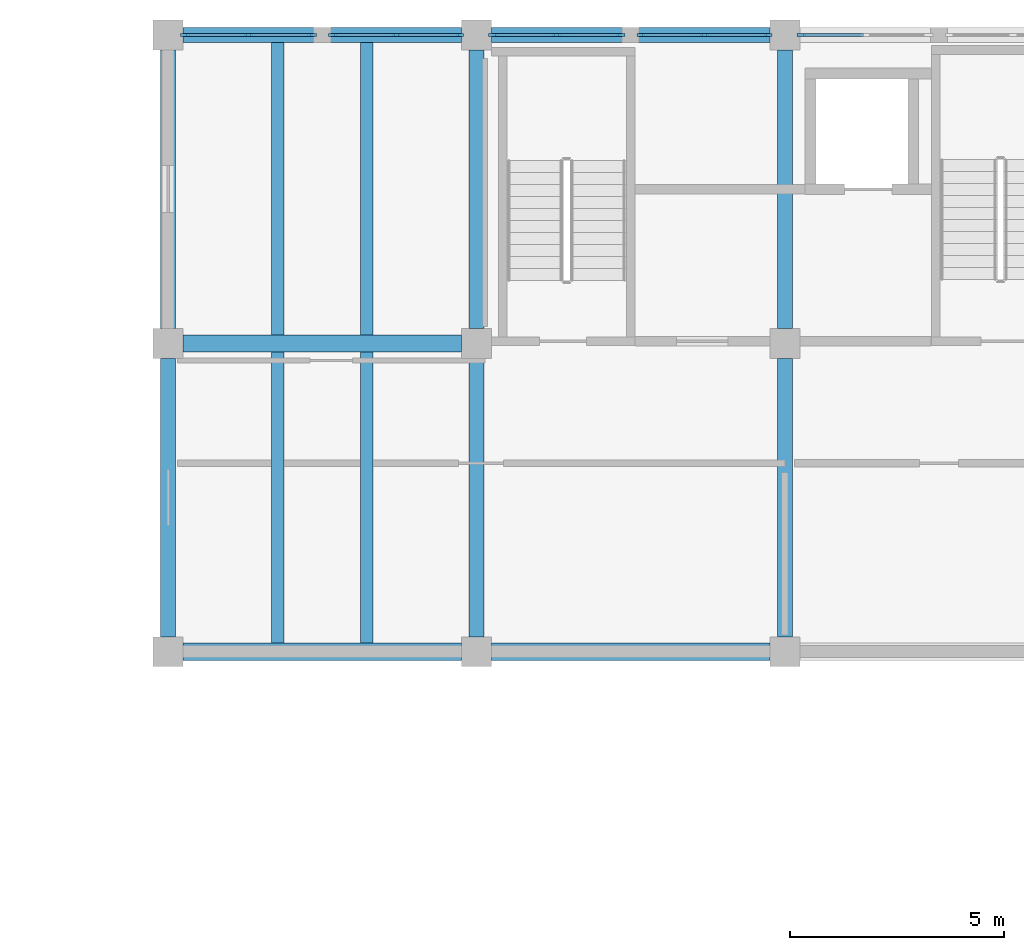
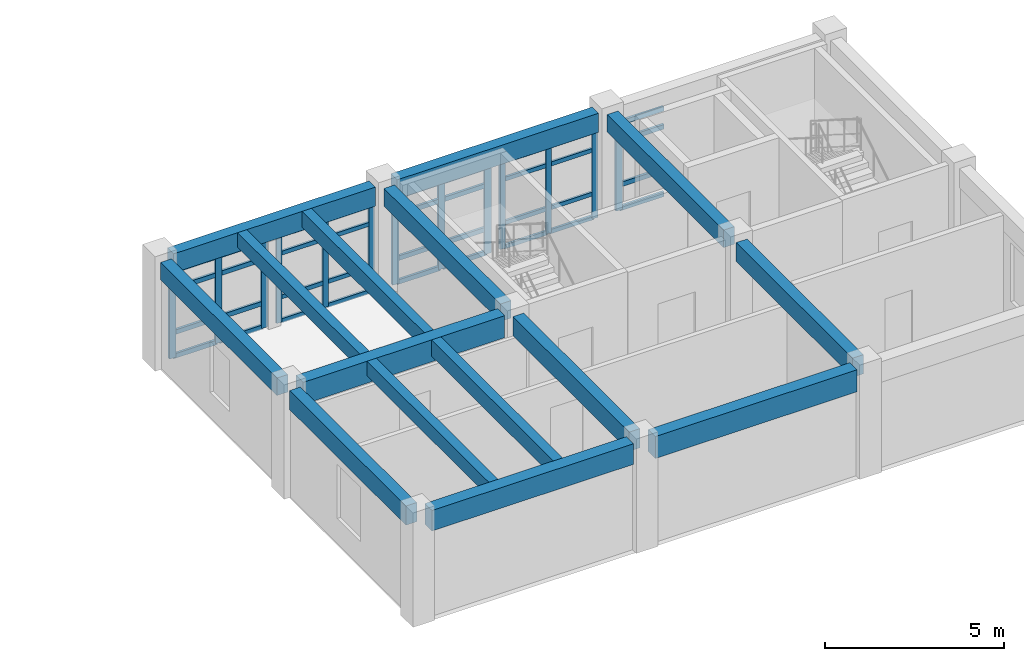
# One storey, part 8 of 54: 49 members, 15 beams, 5 elements without a shape of their own.
"""IFC4 building model written with IfcOpenShell, lengths in metres."""

from ifc_helpers import new_model, si_unit, direction, frame, origin, origin_2d, place, context, subcontext, project, spatial, rectangle, extrude, material, layer, layer_set, material_profile, profile_set, type_object, element, aggregate, save


model = new_model("IFC4")

# Units and contexts
model_context = context("Model", 3, precision=1e-05, world=origin(), true_north=direction((0.0, 1.0)))
body_context = subcontext(model_context, "Body", "Model", "MODEL_VIEW")
ifc_project = project(units=[si_unit("LENGTHUNIT", "METRE"), si_unit("AREAUNIT", "SQUARE_METRE"), si_unit("VOLUMEUNIT", "CUBIC_METRE"), si_unit("PLANEANGLEUNIT", "RADIAN"), si_unit("MASSUNIT", "GRAM", prefix="KILO")], contexts=[model_context])

# Site, building, storey
site_placement = place(None, origin())
site = spatial("IfcSite", under=ifc_project, at=site_placement, CompositionType="ELEMENT")
building_placement = place(site_placement, origin())
building = spatial("IfcBuilding", under=site, at=building_placement, Name="Koriwan Promenade Central Fire Station", CompositionType="ELEMENT")
storey_placement = place(building_placement, frame((0.0, 0.0, 9.60009765625)))
storey = spatial("IfcBuildingStorey", under=building, at=storey_placement, Name="L02", CompositionType="ELEMENT", Elevation=9.60009765625)

# Beams
ifc_material_1 = material(Name="Concrete C35/45", Category="concrete")
ifc_material_profile_1 = material_profile(ifc_material_1, rectangle(XDim=0.300048828125, YDim=0.5, at=origin_2d()), Name="RC-BM-300x500")
ifc_profile_set_1 = profile_set([ifc_material_profile_1], Name="Concrete C35/45")
beam_type_1 = type_object("IfcBeamType", Name="Beam_RC-BM-300x500", PredefinedType="JOIST", material=ifc_profile_set_1)
beam_1_placement = place(storey_placement, frame((81.760009765625, 101.0, 3.39990234375), z_axis=(0.0, 1.0, 0.0), x_axis=(-1.0, 0.0, 0.0)))
element("IfcBeam", 1, at=beam_1_placement, inside=storey, type_object=beam_type_1, Name="V2 L02 secondary joist 155", PredefinedType="JOIST", context=body_context, shape_type="SweptSolid", body=[
    extrude(rectangle(XDim=0.300048828125, YDim=0.5, at=origin_2d()), origin(), (0.0, 0.0, 1.0), 6.800048828125),
])
beam_2_placement = place(storey_placement, frame((81.760009765625, 108.199951171875, 3.39990234375), z_axis=(0.0, 1.0, 0.0), x_axis=(-1.0, 0.0, 0.0)))
element("IfcBeam", 2, at=beam_2_placement, inside=storey, type_object=beam_type_1, Name="V2 L02 secondary joist 157", PredefinedType="JOIST", context=body_context, shape_type="SweptSolid", body=[
    extrude(rectangle(XDim=0.300048828125, YDim=0.5, at=origin_2d()), origin(), (0.0, 0.0, 1.0), 6.824951171875),
])
ifc_material_profile_2 = material_profile(ifc_material_1, rectangle(XDim=0.300048828125, YDim=0.550048828125, at=origin_2d()), Name="RC-BM-300x550")
ifc_profile_set_2 = profile_set([ifc_material_profile_2], Name="Concrete C35/45")
beam_type_2 = type_object("IfcBeamType", Name="Beam_RC-BM-300x550", PredefinedType="JOIST", material=ifc_profile_set_2)
beam_3_placement = place(storey_placement, frame((83.840087890625, 101.0, 3.375), z_axis=(0.0, 1.0, 0.0), x_axis=(-1.0, 0.0, 0.0)))
element("IfcBeam", 3, at=beam_3_placement, inside=storey, type_object=beam_type_2, Name="V2 L02 secondary joist 156", PredefinedType="JOIST", context=body_context, shape_type="SweptSolid", body=[
    extrude(rectangle(XDim=0.300048828125, YDim=0.550048828125, at=origin_2d()), origin(), (0.0, 0.0, 1.0), 6.800048828125),
])
beam_4_placement = place(storey_placement, frame((83.840087890625, 108.199951171875, 3.375), z_axis=(0.0, 1.0, 0.0), x_axis=(-1.0, 0.0, 0.0)))
element("IfcBeam", 4, at=beam_4_placement, inside=storey, type_object=beam_type_2, Name="V2 L02 secondary joist 158", PredefinedType="JOIST", context=body_context, shape_type="SweptSolid", body=[
    extrude(rectangle(XDim=0.300048828125, YDim=0.550048828125, at=origin_2d()), origin(), (0.0, 0.0, 1.0), 6.824951171875),
])
ifc_material_profile_3 = material_profile(ifc_material_1, rectangle(XDim=0.35009765625, YDim=0.60009765625, at=origin_2d()), Name="RC-BM-350x600")
ifc_profile_set_3 = profile_set([ifc_material_profile_3], Name="Concrete C35/45")
beam_type_3 = type_object("IfcBeamType", Name="Beam_RC-BM-350x600", PredefinedType="BEAM", material=ifc_profile_set_3)
for number, where, z_axis, x_axis, name in (
    (5, (79.199951171875, 108.35009765625, 3.349853515625), (0.0, 1.0, 0.0), (-1.0, 0.0, 0.0), "V2 L02 girder Y-148"),
    (6, (86.39990234375, 108.35009765625, 3.349853515625), (0.0, 1.0, 0.0), (-1.0, 0.0, 0.0), "V2 L02 girder Y-150"),
    (7, (93.60009765625, 108.35009765625, 3.349853515625), (0.0, 1.0, 0.0), (-1.0, 0.0, 0.0), "V2 L02 girder Y-152"),
):
    element("IfcBeam", number, at=place(storey_placement, frame(where, z_axis=z_axis, x_axis=x_axis)), inside=storey, type_object=beam_type_3, Name=name, PredefinedType="BEAM", context=body_context, shape_type="SweptSolid", body=[
        extrude(rectangle(XDim=0.35009765625, YDim=0.60009765625, at=origin_2d()), origin(), (0.0, 0.0, 1.0), 6.5),
    ])
ifc_material_profile_4 = material_profile(ifc_material_1, rectangle(XDim=0.35009765625, YDim=0.64990234375, at=origin_2d()), Name="RC-BM-350x650")
ifc_profile_set_4 = profile_set([ifc_material_profile_4], Name="Concrete C35/45")
beam_type_4 = type_object("IfcBeamType", Name="Beam_RC-BM-350x650", PredefinedType="BEAM", material=ifc_profile_set_4)
for number, where, z_axis, x_axis, name in (
    (8, (79.199951171875, 101.14990234375, 3.324951171875), (0.0, 1.0, 0.0), (-1.0, 0.0, 0.0), "V2 L02 girder Y-147"),
    (9, (86.39990234375, 101.14990234375, 3.324951171875), (0.0, 1.0, 0.0), (-1.0, 0.0, 0.0), "V2 L02 girder Y-149"),
    (10, (93.60009765625, 101.14990234375, 3.324951171875), (0.0, 1.0, 0.0), (-1.0, 0.0, 0.0), "V2 L02 girder Y-151"),
):
    element("IfcBeam", number, at=place(storey_placement, frame(where, z_axis=z_axis, x_axis=x_axis)), inside=storey, type_object=beam_type_4, Name=name, PredefinedType="BEAM", context=body_context, shape_type="SweptSolid", body=[
        extrude(rectangle(XDim=0.35009765625, YDim=0.64990234375, at=origin_2d()), origin(), (0.0, 0.0, 1.0), 6.5),
    ])
ifc_material_profile_5 = material_profile(ifc_material_1, rectangle(XDim=0.39990234375, YDim=0.699951171875, at=origin_2d()), Name="RC-BM-400x700")
ifc_profile_set_5 = profile_set([ifc_material_profile_5], Name="Concrete C35/45")
beam_type_5 = type_object("IfcBeamType", Name="Beam_RC-BM-400x700", PredefinedType="BEAM", material=ifc_profile_set_5)
beam_5_placement = place(storey_placement, frame((79.550048828125, 100.800048828125, 3.2998046875), z_axis=(1.0, 0.0, 0.0), x_axis=(0.0, 1.0, 0.0)))
element("IfcBeam", 11, at=beam_5_placement, inside=storey, type_object=beam_type_5, Name="V2 L02 girder X-140", PredefinedType="BEAM", context=body_context, shape_type="SweptSolid", body=[
    extrude(rectangle(XDim=0.39990234375, YDim=0.699951171875, at=origin_2d()), origin(), (0.0, 0.0, 1.0), 6.5),
])
ifc_material_profile_6 = material_profile(ifc_material_1, rectangle(XDim=0.39990234375, YDim=0.75, at=origin_2d()), Name="RC-BM-400x750")
ifc_profile_set_6 = profile_set([ifc_material_profile_6], Name="Concrete C35/45")
beam_type_6 = type_object("IfcBeamType", Name="Beam_RC-BM-400x750", PredefinedType="BEAM", material=ifc_profile_set_6)
for number, where, z_axis, x_axis, name in (
    (12, (86.75, 100.800048828125, 3.27490234375), (1.0, 0.0, 0.0), (0.0, 1.0, 0.0), "V2 L02 girder X-141"),
    (13, (79.550048828125, 108.0, 3.27490234375), (1.0, 0.0, 0.0), (0.0, 1.0, 0.0), "V2 L02 girder X-143"),
):
    element("IfcBeam", number, at=place(storey_placement, frame(where, z_axis=z_axis, x_axis=x_axis)), inside=storey, type_object=beam_type_6, Name=name, PredefinedType="BEAM", context=body_context, shape_type="SweptSolid", body=[
        extrude(rectangle(XDim=0.39990234375, YDim=0.75, at=origin_2d()), origin(), (0.0, 0.0, 1.0), 6.5),
    ])
ifc_material_profile_7 = material_profile(ifc_material_1, rectangle(XDim=0.35009765625, YDim=0.64990234375, at=origin_2d()), Name="RC-SP-350x650")
ifc_profile_set_7 = profile_set([ifc_material_profile_7], Name="Concrete C35/45")
beam_type_7 = type_object("IfcBeamType", Name="Beam_RC-SP-350x650", PredefinedType="SPANDREL", material=ifc_profile_set_7)
for number, where, z_axis, x_axis, name in (
    (14, (79.550048828125, 115.199951171875, 3.324951171875), (1.0, 0.0, 0.0), (0.0, 1.0, 0.0), "V2 L02 girder X-144"),
    (15, (86.75, 115.199951171875, 3.324951171875), (1.0, 0.0, 0.0), (0.0, 1.0, 0.0), "V2 L02 girder X-145"),
):
    element("IfcBeam", number, at=place(storey_placement, frame(where, z_axis=z_axis, x_axis=x_axis)), inside=storey, type_object=beam_type_7, Name=name, PredefinedType="SPANDREL", context=body_context, shape_type="SweptSolid", body=[
        extrude(rectangle(XDim=0.35009765625, YDim=0.64990234375, at=origin_2d()), origin(), (0.0, 0.0, 1.0), 6.5),
    ])

# Curtain wall, members
ifc_material_2 = material(Name="Aluminium EN AW-6063-T6 and low-E glazing", Category="aluminium")
ifc_layer_1 = layer(ifc_material_2, 0.159912109375, Name="Aluminium EN AW-6063-T6 and low-E glazing")
ifc_layer_set_1 = layer_set([ifc_layer_1], Name="Aluminium EN AW-6063-T6 and low-E glazing")
curtain_wall_type_1 = type_object("IfcCurtainWallType", Name="CurtainWall_09_305x299", PredefinedType="USERDEFINED", material=ifc_layer_set_1)
curtain_wall_1_placement = place(storey_placement, origin())
curtain_wall_1 = element("IfcCurtainWall", 16, at=curtain_wall_1_placement, inside=storey, type_object=curtain_wall_type_1, Name="V2 L02 unitised curtain wall 029", ObjectType="UNITISED CURTAIN WALL", PredefinedType="USERDEFINED")
ifc_material_3 = material(Name="Aluminium EN AW-6063-T6", Category="aluminium")
ifc_material_profile_8 = material_profile(ifc_material_3, rectangle(XDim=0.074951171875, YDim=0.179931640625, at=origin_2d()), Name="ALU-MUL-75x180")
ifc_profile_set_8 = profile_set([ifc_material_profile_8], Name="Aluminium EN AW-6063-T6")
member_type_1 = type_object("IfcMemberType", Name="CWMullion_ALU-MUL-75x180", PredefinedType="MULLION", material=ifc_profile_set_8)
member_1_placement = place(storey_placement, frame((93.21240234375, 115.199951171875, 0.0), z_axis=(0.0, 0.0, 1.0), x_axis=(0.0, -1.0, 0.0)))
member_1 = element("IfcMember", 17, at=member_1_placement, type_object=member_type_1, Name="CW-09 mullion 1", PredefinedType="MULLION", context=body_context, shape_type="SweptSolid", body=[
    extrude(rectangle(XDim=0.074951171875, YDim=0.179931640625, at=origin_2d()), origin(), (0.0, 0.0, 1.0), 2.989990234375),
])
member_2_placement = place(storey_placement, frame((91.72509765625, 115.199951171875, 0.0), z_axis=(0.0, 0.0, 1.0), x_axis=(0.0, -1.0, 0.0)))
member_2 = element("IfcMember", 18, at=member_2_placement, type_object=member_type_1, Name="CW-09 mullion 2", PredefinedType="MULLION", context=body_context, shape_type="SweptSolid", body=[
    extrude(rectangle(XDim=0.074951171875, YDim=0.179931640625, at=origin_2d()), origin(), (0.0, 0.0, 1.0), 2.989990234375),
])
member_3_placement = place(storey_placement, frame((90.237548828125, 115.199951171875, 0.0), z_axis=(0.0, 0.0, 1.0), x_axis=(0.0, -1.0, 0.0)))
member_3 = element("IfcMember", 19, at=member_3_placement, type_object=member_type_1, Name="CW-09 mullion 3", PredefinedType="MULLION", context=body_context, shape_type="SweptSolid", body=[
    extrude(rectangle(XDim=0.074951171875, YDim=0.179931640625, at=origin_2d()), origin(), (0.0, 0.0, 1.0), 2.989990234375),
])

curtain_wall_2_placement = place(storey_placement, origin())
curtain_wall_2 = element("IfcCurtainWall", 20, at=curtain_wall_2_placement, inside=storey, type_object=curtain_wall_type_1, Name="V2 L02 unitised curtain wall 031", ObjectType="UNITISED CURTAIN WALL", PredefinedType="USERDEFINED")
member_4_placement = place(storey_placement, frame((86.012451171875, 115.199951171875, 0.0), z_axis=(0.0, 0.0, 1.0), x_axis=(0.0, -1.0, 0.0)))
member_4 = element("IfcMember", 21, at=member_4_placement, type_object=member_type_1, Name="CW-09 mullion 1", PredefinedType="MULLION", context=body_context, shape_type="SweptSolid", body=[
    extrude(rectangle(XDim=0.074951171875, YDim=0.179931640625, at=origin_2d()), origin(), (0.0, 0.0, 1.0), 2.989990234375),
])
member_5_placement = place(storey_placement, frame((84.52490234375, 115.199951171875, 0.0), z_axis=(0.0, 0.0, 1.0), x_axis=(0.0, -1.0, 0.0)))
member_5 = element("IfcMember", 22, at=member_5_placement, type_object=member_type_1, Name="CW-09 mullion 2", PredefinedType="MULLION", context=body_context, shape_type="SweptSolid", body=[
    extrude(rectangle(XDim=0.074951171875, YDim=0.179931640625, at=origin_2d()), origin(), (0.0, 0.0, 1.0), 2.989990234375),
])
member_6_placement = place(storey_placement, frame((83.03759765625, 115.199951171875, 0.0), z_axis=(0.0, 0.0, 1.0), x_axis=(0.0, -1.0, 0.0)))
member_6 = element("IfcMember", 23, at=member_6_placement, type_object=member_type_1, Name="CW-09 mullion 3", PredefinedType="MULLION", context=body_context, shape_type="SweptSolid", body=[
    extrude(rectangle(XDim=0.074951171875, YDim=0.179931640625, at=origin_2d()), origin(), (0.0, 0.0, 1.0), 2.989990234375),
])

# Curtain wall, member
ifc_layer_2 = layer(ifc_material_2, 0.159912109375, Name="Aluminium EN AW-6063-T6 and low-E glazing")
ifc_layer_set_2 = layer_set([ifc_layer_2], Name="Aluminium EN AW-6063-T6 and low-E glazing")
curtain_wall_type_2 = type_object("IfcCurtainWallType", Name="CurtainWall_10_305x299", PredefinedType="USERDEFINED", material=ifc_layer_set_2)
curtain_wall_3_placement = place(storey_placement, origin())
curtain_wall_3 = element("IfcCurtainWall", 24, at=curtain_wall_3_placement, inside=storey, type_object=curtain_wall_type_2, Name="V2 L02 unitised curtain wall 028", ObjectType="UNITISED CURTAIN WALL", PredefinedType="USERDEFINED")
ifc_material_profile_9 = material_profile(ifc_material_3, rectangle(XDim=0.080078125, YDim=0.2099609375, at=origin_2d()), Name="ALU-MUL-80x210")
ifc_profile_set_9 = profile_set([ifc_material_profile_9], Name="Aluminium EN AW-6063-T6")
member_type_2 = type_object("IfcMemberType", Name="CWMullion_ALU-MUL-80x210", PredefinedType="MULLION", material=ifc_profile_set_9)
member_7_placement = place(storey_placement, frame((93.989990234375, 115.199951171875, 0.0), z_axis=(0.0, 0.0, 1.0), x_axis=(0.0, -1.0, 0.0)))
member_7 = element("IfcMember", 25, at=member_7_placement, type_object=member_type_2, Name="CW-10 mullion 3", PredefinedType="MULLION", context=body_context, shape_type="SweptSolid", body=[
    extrude(rectangle(XDim=0.080078125, YDim=0.2099609375, at=origin_2d()), origin(), (0.0, 0.0, 1.0), 2.989990234375),
])

# Curtain wall, members
curtain_wall_4_placement = place(storey_placement, origin())
curtain_wall_4 = element("IfcCurtainWall", 26, at=curtain_wall_4_placement, inside=storey, type_object=curtain_wall_type_2, Name="V2 L02 unitised curtain wall 030", ObjectType="UNITISED CURTAIN WALL", PredefinedType="USERDEFINED")
member_8_placement = place(storey_placement, frame((89.760009765625, 115.199951171875, 0.0), z_axis=(0.0, 0.0, 1.0), x_axis=(0.0, -1.0, 0.0)))
member_8 = element("IfcMember", 27, at=member_8_placement, type_object=member_type_2, Name="CW-10 mullion 1", PredefinedType="MULLION", context=body_context, shape_type="SweptSolid", body=[
    extrude(rectangle(XDim=0.080078125, YDim=0.2099609375, at=origin_2d()), origin(), (0.0, 0.0, 1.0), 2.989990234375),
])
member_9_placement = place(storey_placement, frame((88.27490234375, 115.199951171875, 0.0), z_axis=(0.0, 0.0, 1.0), x_axis=(0.0, -1.0, 0.0)))
member_9 = element("IfcMember", 28, at=member_9_placement, type_object=member_type_2, Name="CW-10 mullion 2", PredefinedType="MULLION", context=body_context, shape_type="SweptSolid", body=[
    extrude(rectangle(XDim=0.080078125, YDim=0.2099609375, at=origin_2d()), origin(), (0.0, 0.0, 1.0), 2.989990234375),
])
member_10_placement = place(storey_placement, frame((86.7900390625, 115.199951171875, 0.0), z_axis=(0.0, 0.0, 1.0), x_axis=(0.0, -1.0, 0.0)))
member_10 = element("IfcMember", 29, at=member_10_placement, type_object=member_type_2, Name="CW-10 mullion 3", PredefinedType="MULLION", context=body_context, shape_type="SweptSolid", body=[
    extrude(rectangle(XDim=0.080078125, YDim=0.2099609375, at=origin_2d()), origin(), (0.0, 0.0, 1.0), 2.989990234375),
])

curtain_wall_5_placement = place(storey_placement, origin())
curtain_wall_5 = element("IfcCurtainWall", 30, at=curtain_wall_5_placement, inside=storey, type_object=curtain_wall_type_2, Name="V2 L02 unitised curtain wall 032", ObjectType="UNITISED CURTAIN WALL", PredefinedType="USERDEFINED")
member_11_placement = place(storey_placement, frame((82.56005859375, 115.199951171875, 0.0), z_axis=(0.0, 0.0, 1.0), x_axis=(0.0, -1.0, 0.0)))
member_11 = element("IfcMember", 31, at=member_11_placement, type_object=member_type_2, Name="CW-10 mullion 1", PredefinedType="MULLION", context=body_context, shape_type="SweptSolid", body=[
    extrude(rectangle(XDim=0.080078125, YDim=0.2099609375, at=origin_2d()), origin(), (0.0, 0.0, 1.0), 2.989990234375),
])
member_12_placement = place(storey_placement, frame((81.074951171875, 115.199951171875, 0.0), z_axis=(0.0, 0.0, 1.0), x_axis=(0.0, -1.0, 0.0)))
member_12 = element("IfcMember", 32, at=member_12_placement, type_object=member_type_2, Name="CW-10 mullion 2", PredefinedType="MULLION", context=body_context, shape_type="SweptSolid", body=[
    extrude(rectangle(XDim=0.080078125, YDim=0.2099609375, at=origin_2d()), origin(), (0.0, 0.0, 1.0), 2.989990234375),
])
member_13_placement = place(storey_placement, frame((79.590087890625, 115.199951171875, 0.0), z_axis=(0.0, 0.0, 1.0), x_axis=(0.0, -1.0, 0.0)))
member_13 = element("IfcMember", 33, at=member_13_placement, type_object=member_type_2, Name="CW-10 mullion 3", PredefinedType="MULLION", context=body_context, shape_type="SweptSolid", body=[
    extrude(rectangle(XDim=0.080078125, YDim=0.2099609375, at=origin_2d()), origin(), (0.0, 0.0, 1.0), 2.989990234375),
])

# Member
ifc_material_profile_10 = material_profile(ifc_material_3, rectangle(XDim=0.074951171875, YDim=0.139892578125, at=origin_2d()), Name="ALU-TRN-75x140")
ifc_profile_set_10 = profile_set([ifc_material_profile_10], Name="Aluminium EN AW-6063-T6")
member_type_3 = type_object("IfcMemberType", Name="CWTransom_ALU-TRN-75x140", PredefinedType="USERDEFINED", material=ifc_profile_set_10)
member_14_placement = place(storey_placement, frame((93.175048828125, 115.199951171875, 0.037353515625), z_axis=(-1.0, 0.0, 0.0), x_axis=(0.0, -1.0, 0.0)))
member_14 = element("IfcMember", 34, at=member_14_placement, type_object=member_type_3, Name="CW-09 transom 1.1", ObjectType="TRANSOM", PredefinedType="USERDEFINED", context=body_context, shape_type="SweptSolid", body=[
    extrude(rectangle(XDim=0.074951171875, YDim=0.139892578125, at=origin_2d()), origin(), (0.0, 0.0, 1.0), 1.41259765625),
])

member_15_placement = place(storey_placement, frame((93.175048828125, 115.199951171875, 0.849853515625), z_axis=(-1.0, 0.0, 0.0), x_axis=(0.0, -1.0, 0.0)))
member_15 = element("IfcMember", 35, at=member_15_placement, type_object=member_type_3, Name="CW-09 transom 1.2", ObjectType="TRANSOM", PredefinedType="USERDEFINED", context=body_context, shape_type="SweptSolid", body=[
    extrude(rectangle(XDim=0.074951171875, YDim=0.139892578125, at=origin_2d()), origin(), (0.0, 0.0, 1.0), 1.41259765625),
])

member_16_placement = place(storey_placement, frame((93.175048828125, 115.199951171875, 2.33984375), z_axis=(-1.0, 0.0, 0.0), x_axis=(0.0, -1.0, 0.0)))
member_16 = element("IfcMember", 36, at=member_16_placement, type_object=member_type_3, Name="CW-09 transom 1.3", ObjectType="TRANSOM", PredefinedType="USERDEFINED", context=body_context, shape_type="SweptSolid", body=[
    extrude(rectangle(XDim=0.074951171875, YDim=0.139892578125, at=origin_2d()), origin(), (0.0, 0.0, 1.0), 1.41259765625),
])

member_17_placement = place(storey_placement, frame((93.175048828125, 115.199951171875, 2.952392578125), z_axis=(-1.0, 0.0, 0.0), x_axis=(0.0, -1.0, 0.0)))
member_17 = element("IfcMember", 37, at=member_17_placement, type_object=member_type_3, Name="CW-09 transom 1.4", ObjectType="TRANSOM", PredefinedType="USERDEFINED", context=body_context, shape_type="SweptSolid", body=[
    extrude(rectangle(XDim=0.074951171875, YDim=0.139892578125, at=origin_2d()), origin(), (0.0, 0.0, 1.0), 1.41259765625),
])

member_18_placement = place(storey_placement, frame((91.6875, 115.199951171875, 0.037353515625), z_axis=(-1.0, 0.0, 0.0), x_axis=(0.0, -1.0, 0.0)))
member_18 = element("IfcMember", 38, at=member_18_placement, type_object=member_type_3, Name="CW-09 transom 2.1", ObjectType="TRANSOM", PredefinedType="USERDEFINED", context=body_context, shape_type="SweptSolid", body=[
    extrude(rectangle(XDim=0.074951171875, YDim=0.139892578125, at=origin_2d()), origin(), (0.0, 0.0, 1.0), 1.41259765625),
])

member_19_placement = place(storey_placement, frame((91.6875, 115.199951171875, 0.849853515625), z_axis=(-1.0, 0.0, 0.0), x_axis=(0.0, -1.0, 0.0)))
member_19 = element("IfcMember", 39, at=member_19_placement, type_object=member_type_3, Name="CW-09 transom 2.2", ObjectType="TRANSOM", PredefinedType="USERDEFINED", context=body_context, shape_type="SweptSolid", body=[
    extrude(rectangle(XDim=0.074951171875, YDim=0.139892578125, at=origin_2d()), origin(), (0.0, 0.0, 1.0), 1.41259765625),
])

member_20_placement = place(storey_placement, frame((91.6875, 115.199951171875, 2.33984375), z_axis=(-1.0, 0.0, 0.0), x_axis=(0.0, -1.0, 0.0)))
member_20 = element("IfcMember", 40, at=member_20_placement, type_object=member_type_3, Name="CW-09 transom 2.3", ObjectType="TRANSOM", PredefinedType="USERDEFINED", context=body_context, shape_type="SweptSolid", body=[
    extrude(rectangle(XDim=0.074951171875, YDim=0.139892578125, at=origin_2d()), origin(), (0.0, 0.0, 1.0), 1.41259765625),
])

member_21_placement = place(storey_placement, frame((91.6875, 115.199951171875, 2.952392578125), z_axis=(-1.0, 0.0, 0.0), x_axis=(0.0, -1.0, 0.0)))
member_21 = element("IfcMember", 41, at=member_21_placement, type_object=member_type_3, Name="CW-09 transom 2.4", ObjectType="TRANSOM", PredefinedType="USERDEFINED", context=body_context, shape_type="SweptSolid", body=[
    extrude(rectangle(XDim=0.074951171875, YDim=0.139892578125, at=origin_2d()), origin(), (0.0, 0.0, 1.0), 1.41259765625),
])

aggregate(curtain_wall_1, [member_1, member_2, member_3, member_14, member_15, member_16, member_17, member_18, member_19, member_20, member_21])

member_22_placement = place(storey_placement, frame((85.97509765625, 115.199951171875, 0.037353515625), z_axis=(-1.0, 0.0, 0.0), x_axis=(0.0, -1.0, 0.0)))
member_22 = element("IfcMember", 42, at=member_22_placement, type_object=member_type_3, Name="CW-09 transom 1.1", ObjectType="TRANSOM", PredefinedType="USERDEFINED", context=body_context, shape_type="SweptSolid", body=[
    extrude(rectangle(XDim=0.074951171875, YDim=0.139892578125, at=origin_2d()), origin(), (0.0, 0.0, 1.0), 1.41259765625),
])

member_23_placement = place(storey_placement, frame((85.97509765625, 115.199951171875, 0.849853515625), z_axis=(-1.0, 0.0, 0.0), x_axis=(0.0, -1.0, 0.0)))
member_23 = element("IfcMember", 43, at=member_23_placement, type_object=member_type_3, Name="CW-09 transom 1.2", ObjectType="TRANSOM", PredefinedType="USERDEFINED", context=body_context, shape_type="SweptSolid", body=[
    extrude(rectangle(XDim=0.074951171875, YDim=0.139892578125, at=origin_2d()), origin(), (0.0, 0.0, 1.0), 1.41259765625),
])

member_24_placement = place(storey_placement, frame((85.97509765625, 115.199951171875, 2.33984375), z_axis=(-1.0, 0.0, 0.0), x_axis=(0.0, -1.0, 0.0)))
member_24 = element("IfcMember", 44, at=member_24_placement, type_object=member_type_3, Name="CW-09 transom 1.3", ObjectType="TRANSOM", PredefinedType="USERDEFINED", context=body_context, shape_type="SweptSolid", body=[
    extrude(rectangle(XDim=0.074951171875, YDim=0.139892578125, at=origin_2d()), origin(), (0.0, 0.0, 1.0), 1.41259765625),
])

member_25_placement = place(storey_placement, frame((85.97509765625, 115.199951171875, 2.952392578125), z_axis=(-1.0, 0.0, 0.0), x_axis=(0.0, -1.0, 0.0)))
member_25 = element("IfcMember", 45, at=member_25_placement, type_object=member_type_3, Name="CW-09 transom 1.4", ObjectType="TRANSOM", PredefinedType="USERDEFINED", context=body_context, shape_type="SweptSolid", body=[
    extrude(rectangle(XDim=0.074951171875, YDim=0.139892578125, at=origin_2d()), origin(), (0.0, 0.0, 1.0), 1.41259765625),
])

member_26_placement = place(storey_placement, frame((84.487548828125, 115.199951171875, 0.037353515625), z_axis=(-1.0, 0.0, 0.0), x_axis=(0.0, -1.0, 0.0)))
member_26 = element("IfcMember", 46, at=member_26_placement, type_object=member_type_3, Name="CW-09 transom 2.1", ObjectType="TRANSOM", PredefinedType="USERDEFINED", context=body_context, shape_type="SweptSolid", body=[
    extrude(rectangle(XDim=0.074951171875, YDim=0.139892578125, at=origin_2d()), origin(), (0.0, 0.0, 1.0), 1.41259765625),
])

member_27_placement = place(storey_placement, frame((84.487548828125, 115.199951171875, 0.849853515625), z_axis=(-1.0, 0.0, 0.0), x_axis=(0.0, -1.0, 0.0)))
member_27 = element("IfcMember", 47, at=member_27_placement, type_object=member_type_3, Name="CW-09 transom 2.2", ObjectType="TRANSOM", PredefinedType="USERDEFINED", context=body_context, shape_type="SweptSolid", body=[
    extrude(rectangle(XDim=0.074951171875, YDim=0.139892578125, at=origin_2d()), origin(), (0.0, 0.0, 1.0), 1.41259765625),
])

member_28_placement = place(storey_placement, frame((84.487548828125, 115.199951171875, 2.33984375), z_axis=(-1.0, 0.0, 0.0), x_axis=(0.0, -1.0, 0.0)))
member_28 = element("IfcMember", 48, at=member_28_placement, type_object=member_type_3, Name="CW-09 transom 2.3", ObjectType="TRANSOM", PredefinedType="USERDEFINED", context=body_context, shape_type="SweptSolid", body=[
    extrude(rectangle(XDim=0.074951171875, YDim=0.139892578125, at=origin_2d()), origin(), (0.0, 0.0, 1.0), 1.41259765625),
])

member_29_placement = place(storey_placement, frame((84.487548828125, 115.199951171875, 2.952392578125), z_axis=(-1.0, 0.0, 0.0), x_axis=(0.0, -1.0, 0.0)))
member_29 = element("IfcMember", 49, at=member_29_placement, type_object=member_type_3, Name="CW-09 transom 2.4", ObjectType="TRANSOM", PredefinedType="USERDEFINED", context=body_context, shape_type="SweptSolid", body=[
    extrude(rectangle(XDim=0.074951171875, YDim=0.139892578125, at=origin_2d()), origin(), (0.0, 0.0, 1.0), 1.41259765625),
])

aggregate(curtain_wall_2, [member_4, member_5, member_6, member_22, member_23, member_24, member_25, member_26, member_27, member_28, member_29])

ifc_material_profile_11 = material_profile(ifc_material_3, rectangle(XDim=0.080078125, YDim=0.155029296875, at=origin_2d()), Name="ALU-TRN-80x155")
ifc_profile_set_11 = profile_set([ifc_material_profile_11], Name="Aluminium EN AW-6063-T6")
member_type_4 = type_object("IfcMemberType", Name="CWTransom_ALU-TRN-80x155", PredefinedType="USERDEFINED", material=ifc_profile_set_11)
member_30_placement = place(storey_placement, frame((95.43505859375, 115.199951171875, 0.039794921875), z_axis=(-1.0, 0.0, 0.0), x_axis=(0.0, -1.0, 0.0)))
member_30 = element("IfcMember", 50, at=member_30_placement, type_object=member_type_4, Name="CW-10 transom 2.1", ObjectType="TRANSOM", PredefinedType="USERDEFINED", context=body_context, shape_type="SweptSolid", body=[
    extrude(rectangle(XDim=0.080078125, YDim=0.155029296875, at=origin_2d()), origin(), (0.0, 0.0, 1.0), 1.405029296875),
])

member_31_placement = place(storey_placement, frame((95.43505859375, 115.199951171875, 0.849853515625), z_axis=(-1.0, 0.0, 0.0), x_axis=(0.0, -1.0, 0.0)))
member_31 = element("IfcMember", 51, at=member_31_placement, type_object=member_type_4, Name="CW-10 transom 2.2", ObjectType="TRANSOM", PredefinedType="USERDEFINED", context=body_context, shape_type="SweptSolid", body=[
    extrude(rectangle(XDim=0.080078125, YDim=0.155029296875, at=origin_2d()), origin(), (0.0, 0.0, 1.0), 1.405029296875),
])

member_32_placement = place(storey_placement, frame((95.43505859375, 115.199951171875, 2.33984375), z_axis=(-1.0, 0.0, 0.0), x_axis=(0.0, -1.0, 0.0)))
member_32 = element("IfcMember", 52, at=member_32_placement, type_object=member_type_4, Name="CW-10 transom 2.3", ObjectType="TRANSOM", PredefinedType="USERDEFINED", context=body_context, shape_type="SweptSolid", body=[
    extrude(rectangle(XDim=0.080078125, YDim=0.155029296875, at=origin_2d()), origin(), (0.0, 0.0, 1.0), 1.405029296875),
])

member_33_placement = place(storey_placement, frame((95.43505859375, 115.199951171875, 2.949951171875), z_axis=(-1.0, 0.0, 0.0), x_axis=(0.0, -1.0, 0.0)))
member_33 = element("IfcMember", 53, at=member_33_placement, type_object=member_type_4, Name="CW-10 transom 2.4", ObjectType="TRANSOM", PredefinedType="USERDEFINED", context=body_context, shape_type="SweptSolid", body=[
    extrude(rectangle(XDim=0.080078125, YDim=0.155029296875, at=origin_2d()), origin(), (0.0, 0.0, 1.0), 1.405029296875),
])

aggregate(curtain_wall_3, [member_7, member_30, member_31, member_32, member_33])

member_34_placement = place(storey_placement, frame((89.719970703125, 115.199951171875, 0.039794921875), z_axis=(-1.0, 0.0, 0.0), x_axis=(0.0, -1.0, 0.0)))
member_34 = element("IfcMember", 54, at=member_34_placement, type_object=member_type_4, Name="CW-10 transom 1.1", ObjectType="TRANSOM", PredefinedType="USERDEFINED", context=body_context, shape_type="SweptSolid", body=[
    extrude(rectangle(XDim=0.080078125, YDim=0.155029296875, at=origin_2d()), origin(), (0.0, 0.0, 1.0), 1.405029296875),
])

member_35_placement = place(storey_placement, frame((89.719970703125, 115.199951171875, 0.849853515625), z_axis=(-1.0, 0.0, 0.0), x_axis=(0.0, -1.0, 0.0)))
member_35 = element("IfcMember", 55, at=member_35_placement, type_object=member_type_4, Name="CW-10 transom 1.2", ObjectType="TRANSOM", PredefinedType="USERDEFINED", context=body_context, shape_type="SweptSolid", body=[
    extrude(rectangle(XDim=0.080078125, YDim=0.155029296875, at=origin_2d()), origin(), (0.0, 0.0, 1.0), 1.405029296875),
])

member_36_placement = place(storey_placement, frame((89.719970703125, 115.199951171875, 2.33984375), z_axis=(-1.0, 0.0, 0.0), x_axis=(0.0, -1.0, 0.0)))
member_36 = element("IfcMember", 56, at=member_36_placement, type_object=member_type_4, Name="CW-10 transom 1.3", ObjectType="TRANSOM", PredefinedType="USERDEFINED", context=body_context, shape_type="SweptSolid", body=[
    extrude(rectangle(XDim=0.080078125, YDim=0.155029296875, at=origin_2d()), origin(), (0.0, 0.0, 1.0), 1.405029296875),
])

member_37_placement = place(storey_placement, frame((89.719970703125, 115.199951171875, 2.949951171875), z_axis=(-1.0, 0.0, 0.0), x_axis=(0.0, -1.0, 0.0)))
member_37 = element("IfcMember", 57, at=member_37_placement, type_object=member_type_4, Name="CW-10 transom 1.4", ObjectType="TRANSOM", PredefinedType="USERDEFINED", context=body_context, shape_type="SweptSolid", body=[
    extrude(rectangle(XDim=0.080078125, YDim=0.155029296875, at=origin_2d()), origin(), (0.0, 0.0, 1.0), 1.405029296875),
])

member_38_placement = place(storey_placement, frame((88.235107421875, 115.199951171875, 0.039794921875), z_axis=(-1.0, 0.0, 0.0), x_axis=(0.0, -1.0, 0.0)))
member_38 = element("IfcMember", 58, at=member_38_placement, type_object=member_type_4, Name="CW-10 transom 2.1", ObjectType="TRANSOM", PredefinedType="USERDEFINED", context=body_context, shape_type="SweptSolid", body=[
    extrude(rectangle(XDim=0.080078125, YDim=0.155029296875, at=origin_2d()), origin(), (0.0, 0.0, 1.0), 1.405029296875),
])

member_39_placement = place(storey_placement, frame((88.235107421875, 115.199951171875, 0.849853515625), z_axis=(-1.0, 0.0, 0.0), x_axis=(0.0, -1.0, 0.0)))
member_39 = element("IfcMember", 59, at=member_39_placement, type_object=member_type_4, Name="CW-10 transom 2.2", ObjectType="TRANSOM", PredefinedType="USERDEFINED", context=body_context, shape_type="SweptSolid", body=[
    extrude(rectangle(XDim=0.080078125, YDim=0.155029296875, at=origin_2d()), origin(), (0.0, 0.0, 1.0), 1.405029296875),
])

member_40_placement = place(storey_placement, frame((88.235107421875, 115.199951171875, 2.33984375), z_axis=(-1.0, 0.0, 0.0), x_axis=(0.0, -1.0, 0.0)))
member_40 = element("IfcMember", 60, at=member_40_placement, type_object=member_type_4, Name="CW-10 transom 2.3", ObjectType="TRANSOM", PredefinedType="USERDEFINED", context=body_context, shape_type="SweptSolid", body=[
    extrude(rectangle(XDim=0.080078125, YDim=0.155029296875, at=origin_2d()), origin(), (0.0, 0.0, 1.0), 1.405029296875),
])

member_41_placement = place(storey_placement, frame((88.235107421875, 115.199951171875, 2.949951171875), z_axis=(-1.0, 0.0, 0.0), x_axis=(0.0, -1.0, 0.0)))
member_41 = element("IfcMember", 61, at=member_41_placement, type_object=member_type_4, Name="CW-10 transom 2.4", ObjectType="TRANSOM", PredefinedType="USERDEFINED", context=body_context, shape_type="SweptSolid", body=[
    extrude(rectangle(XDim=0.080078125, YDim=0.155029296875, at=origin_2d()), origin(), (0.0, 0.0, 1.0), 1.405029296875),
])

aggregate(curtain_wall_4, [member_8, member_9, member_10, member_34, member_35, member_36, member_37, member_38, member_39, member_40, member_41])

member_42_placement = place(storey_placement, frame((82.52001953125, 115.199951171875, 0.039794921875), z_axis=(-1.0, 0.0, 0.0), x_axis=(0.0, -1.0, 0.0)))
member_42 = element("IfcMember", 62, at=member_42_placement, type_object=member_type_4, Name="CW-10 transom 1.1", ObjectType="TRANSOM", PredefinedType="USERDEFINED", context=body_context, shape_type="SweptSolid", body=[
    extrude(rectangle(XDim=0.080078125, YDim=0.155029296875, at=origin_2d()), origin(), (0.0, 0.0, 1.0), 1.405029296875),
])

member_43_placement = place(storey_placement, frame((82.52001953125, 115.199951171875, 0.849853515625), z_axis=(-1.0, 0.0, 0.0), x_axis=(0.0, -1.0, 0.0)))
member_43 = element("IfcMember", 63, at=member_43_placement, type_object=member_type_4, Name="CW-10 transom 1.2", ObjectType="TRANSOM", PredefinedType="USERDEFINED", context=body_context, shape_type="SweptSolid", body=[
    extrude(rectangle(XDim=0.080078125, YDim=0.155029296875, at=origin_2d()), origin(), (0.0, 0.0, 1.0), 1.405029296875),
])

member_44_placement = place(storey_placement, frame((82.52001953125, 115.199951171875, 2.33984375), z_axis=(-1.0, 0.0, 0.0), x_axis=(0.0, -1.0, 0.0)))
member_44 = element("IfcMember", 64, at=member_44_placement, type_object=member_type_4, Name="CW-10 transom 1.3", ObjectType="TRANSOM", PredefinedType="USERDEFINED", context=body_context, shape_type="SweptSolid", body=[
    extrude(rectangle(XDim=0.080078125, YDim=0.155029296875, at=origin_2d()), origin(), (0.0, 0.0, 1.0), 1.405029296875),
])

member_45_placement = place(storey_placement, frame((82.52001953125, 115.199951171875, 2.949951171875), z_axis=(-1.0, 0.0, 0.0), x_axis=(0.0, -1.0, 0.0)))
member_45 = element("IfcMember", 65, at=member_45_placement, type_object=member_type_4, Name="CW-10 transom 1.4", ObjectType="TRANSOM", PredefinedType="USERDEFINED", context=body_context, shape_type="SweptSolid", body=[
    extrude(rectangle(XDim=0.080078125, YDim=0.155029296875, at=origin_2d()), origin(), (0.0, 0.0, 1.0), 1.405029296875),
])

member_46_placement = place(storey_placement, frame((81.034912109375, 115.199951171875, 0.039794921875), z_axis=(-1.0, 0.0, 0.0), x_axis=(0.0, -1.0, 0.0)))
member_46 = element("IfcMember", 66, at=member_46_placement, type_object=member_type_4, Name="CW-10 transom 2.1", ObjectType="TRANSOM", PredefinedType="USERDEFINED", context=body_context, shape_type="SweptSolid", body=[
    extrude(rectangle(XDim=0.080078125, YDim=0.155029296875, at=origin_2d()), origin(), (0.0, 0.0, 1.0), 1.405029296875),
])

member_47_placement = place(storey_placement, frame((81.034912109375, 115.199951171875, 0.849853515625), z_axis=(-1.0, 0.0, 0.0), x_axis=(0.0, -1.0, 0.0)))
member_47 = element("IfcMember", 67, at=member_47_placement, type_object=member_type_4, Name="CW-10 transom 2.2", ObjectType="TRANSOM", PredefinedType="USERDEFINED", context=body_context, shape_type="SweptSolid", body=[
    extrude(rectangle(XDim=0.080078125, YDim=0.155029296875, at=origin_2d()), origin(), (0.0, 0.0, 1.0), 1.405029296875),
])

member_48_placement = place(storey_placement, frame((81.034912109375, 115.199951171875, 2.33984375), z_axis=(-1.0, 0.0, 0.0), x_axis=(0.0, -1.0, 0.0)))
member_48 = element("IfcMember", 68, at=member_48_placement, type_object=member_type_4, Name="CW-10 transom 2.3", ObjectType="TRANSOM", PredefinedType="USERDEFINED", context=body_context, shape_type="SweptSolid", body=[
    extrude(rectangle(XDim=0.080078125, YDim=0.155029296875, at=origin_2d()), origin(), (0.0, 0.0, 1.0), 1.405029296875),
])

member_49_placement = place(storey_placement, frame((81.034912109375, 115.199951171875, 2.949951171875), z_axis=(-1.0, 0.0, 0.0), x_axis=(0.0, -1.0, 0.0)))
member_49 = element("IfcMember", 69, at=member_49_placement, type_object=member_type_4, Name="CW-10 transom 2.4", ObjectType="TRANSOM", PredefinedType="USERDEFINED", context=body_context, shape_type="SweptSolid", body=[
    extrude(rectangle(XDim=0.080078125, YDim=0.155029296875, at=origin_2d()), origin(), (0.0, 0.0, 1.0), 1.405029296875),
])

aggregate(curtain_wall_5, [member_11, member_12, member_13, member_42, member_43, member_44, member_45, member_46, member_47, member_48, member_49])

save(model, "model.ifc")
